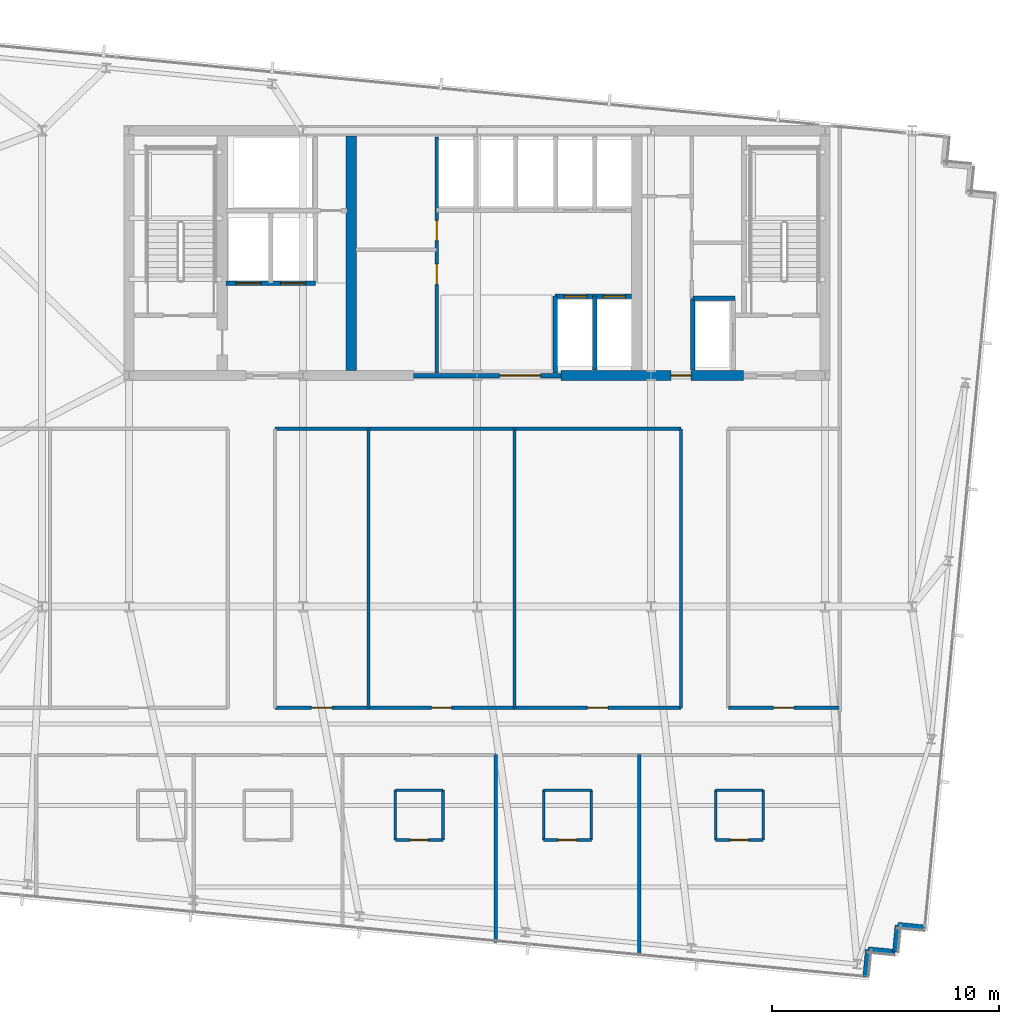
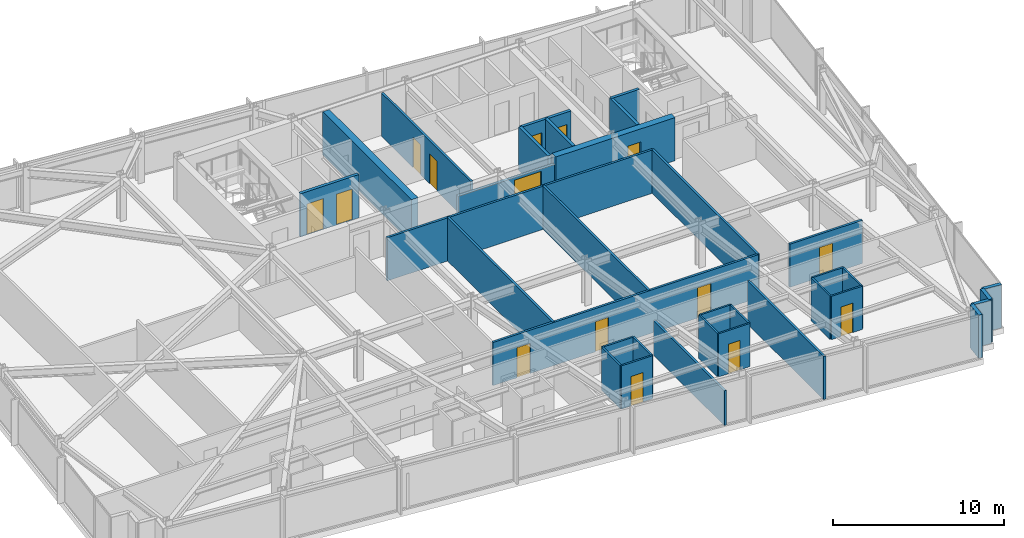
# One storey, part 30 of 37: 34 walls, 15 doors, 15 openings.
"""IFC4 building model written with IfcOpenShell, lengths in metres."""

from ifc_helpers import new_model, si_unit, direction, frame, frame_2d, origin, place, context, subcontext, project, spatial, rectangle, extrude, material, layer, layer_set, type_object, element, fill, save


model = new_model("IFC4")

# Units and contexts
model_context = context("Model", 3, precision=1e-05, world=origin(), true_north=direction((0.0, 1.0)))
body_context = subcontext(model_context, "Body", "Model", "MODEL_VIEW")
ifc_project = project(units=[si_unit("LENGTHUNIT", "METRE"), si_unit("AREAUNIT", "SQUARE_METRE"), si_unit("VOLUMEUNIT", "CUBIC_METRE"), si_unit("PLANEANGLEUNIT", "RADIAN"), si_unit("MASSUNIT", "GRAM", prefix="KILO")], contexts=[model_context])

# Site, building, storey
site_placement = place(None, origin())
site = spatial("IfcSite", under=ifc_project, at=site_placement, CompositionType="ELEMENT")
building_placement = place(site_placement, origin())
building = spatial("IfcBuilding", under=site, at=building_placement, Name="Yelkora Congress Tower", CompositionType="ELEMENT")
storey_placement = place(building_placement, frame((0.0, 0.0, 149.0)))
storey = spatial("IfcBuildingStorey", under=building, at=storey_placement, Name="L40", CompositionType="ELEMENT", Elevation=149.0)

# Wall, opening, door
ifc_material_1 = material(Name="Concrete C60/75", Category="concrete")
ifc_layer_1 = layer(ifc_material_1, 0.449951171875)
ifc_layer_set_1 = layer_set([ifc_layer_1], Name="Concrete C60/75")
wall_type_1 = type_object("IfcWallType", Name="WALL-CORE-INT-450", PredefinedType="SHEAR", material=ifc_layer_set_1)
wall_1_placement = place(storey_placement, frame((42.10009765625, 35.39990234375, 0.0), z_axis=(0.0, 0.0, 1.0), x_axis=(1.0, 0.0, 0.0)))
wall_1 = element("IfcWall", 1, at=wall_1_placement, inside=storey, type_object=wall_type_1, Name="L40 Rear Core South-East Shear Wall A", PredefinedType="SHEAR", context=body_context, shape_type="SweptSolid", body=[
    extrude(rectangle(XDim=8.0498046875, YDim=0.449951171875, at=frame_2d((4.02490234375, 0.0))), origin(), (0.0, 0.0, 1.0), 3.080078125),
])
opening_1_placement = place(wall_1_placement, frame((4.85009765625, 0.0, 0.0)))
opening_1 = element("IfcOpeningElement", 2, at=opening_1_placement, cuts=wall_1, Name="Opening DR-090F6", PredefinedType="OPENING", context=body_context, shape_type="SweptSolid", body=[
    extrude(rectangle(XDim=0.89990234375, YDim=2.14990234375, at=frame_2d((0.449951171875, 1.074951171875))), frame((0.0, 0.23486328125, 0.0), z_axis=(0.0, -1.0, 0.0), x_axis=(1.0, 0.0, 0.0)), (0.0, 0.0, 1.0), 0.469970703125),
])
ifc_material_2 = material(Name="Painted steel riser fire door leaf", Category="steel")
door_type_1 = type_object("IfcDoorType", Name="DOOR-FD60-900", OperationType="NOTDEFINED", PredefinedType="DOOR", material=ifc_material_2)
door_1_placement = place(opening_1_placement, origin())
door_1 = element("IfcDoor", 3, at=door_1_placement, inside=storey, type_object=door_type_1, Name="L40 Core Washroom Lobby Door", OperationType="SINGLE_SWING_RIGHT", OverallHeight=2.14990234375, OverallWidth=0.89990234375, PredefinedType="DOOR", context=body_context, shape_type="SweptSolid", body=[
    extrude(rectangle(XDim=0.89990234375, YDim=2.14990234375, at=frame_2d((0.449951171875, 1.074951171875))), frame((0.0, 0.02490234375, 0.0), z_axis=(0.0, -1.0, 0.0), x_axis=(1.0, 0.0, 0.0)), (0.0, 0.0, 1.0), 0.050048828125),
])
fill(opening_1, door_1)

# Walls
wall_2_placement = place(storey_placement, frame((32.85009765625, 35.625, 0.0), z_axis=(0.0, 0.0, 1.0), x_axis=(0.0, 1.0, 0.0)))
element("IfcWall", 4, at=wall_2_placement, inside=storey, type_object=wall_type_1, Name="L40 Rear Core Cross Shear Wall C2", PredefinedType="SHEAR", context=body_context, shape_type="SweptSolid", body=[
    extrude(rectangle(XDim=10.35009765625, YDim=0.449951171875, at=frame_2d((5.175048828125, 0.0))), origin(), (0.0, 0.0, 1.0), 3.080078125),
])
ifc_material_3 = material(Name="Concrete C40/50", Category="concrete")
ifc_layer_2 = layer(ifc_material_3, 0.239990234375)
ifc_layer_set_2 = layer_set([ifc_layer_2], Name="Concrete C40/50")
wall_type_2 = type_object("IfcWallType", Name="WALL-EXT-LIMESTONE-240", PredefinedType="SOLIDWALL", material=ifc_layer_set_2)
wall_3_placement = place(storey_placement, frame((58.160400390625, 11.033203125, 0.0), z_axis=(0.0, 0.0, 1.0), x_axis=(-0.995398960025, 0.095817067274, 0.0)))
element("IfcWall", 5, at=wall_3_placement, inside=storey, type_object=wall_type_2, Name="L40 Serrated Corner Limestone Pier 16", PredefinedType="SOLIDWALL", context=body_context, shape_type="SweptSolid", body=[
    extrude(rectangle(XDim=1.2001953125, YDim=0.239990234375, at=frame_2d((0.60009765625, 0.0))), origin(), (0.0, 0.0, 1.0), 3.080078125),
])
for number, where, z_axis, x_axis, name in (
    (6, (56.9658203125, 11.148193359375, 0.0), (0.0, 0.0, 1.0), (-0.095836473879, -0.995397091755, 0.0), "L40 Serrated Corner Limestone Pier 17"),
    (7, (56.850830078125, 9.953857421875, 0.0), (0.0, 0.0, 1.0), (-0.995397091755, 0.095836473879, 0.0), "L40 Serrated Corner Limestone Pier 18"),
):
    element("IfcWall", number, at=place(storey_placement, frame(where, z_axis=z_axis, x_axis=x_axis)), inside=storey, type_object=wall_type_2, Name=name, PredefinedType="SOLIDWALL", context=body_context, shape_type="SweptSolid", body=[
        extrude(rectangle(XDim=1.199951171875, YDim=0.239990234375, at=frame_2d((0.60009765625, 0.0))), origin(), (0.0, 0.0, 1.0), 3.080078125),
    ])
wall_4_placement = place(storey_placement, frame((55.656494140625, 10.06884765625, 0.0), z_axis=(0.0, 0.0, 1.0), x_axis=(-0.095817067274, -0.995398960025, 0.0)))
element("IfcWall", 8, at=wall_4_placement, inside=storey, type_object=wall_type_2, Name="L40 Serrated Corner Limestone Pier 19", PredefinedType="SOLIDWALL", context=body_context, shape_type="SweptSolid", body=[
    extrude(rectangle(XDim=1.2001953125, YDim=0.239990234375, at=frame_2d((0.60009765625, 0.0))), origin(), (0.0, 0.0, 1.0), 3.080078125),
])
ifc_material_4 = material(Name="Moisture-resistant gypsum partition", Category="gypsum")
ifc_layer_3 = layer(ifc_material_4, 0.1201171875)
ifc_layer_set_3 = layer_set([ifc_layer_3], Name="Moisture-resistant gypsum partition")
wall_type_3 = type_object("IfcWallType", Name="WALL-INT-120-NR", PredefinedType="PARTITIONING", material=ifc_layer_set_3)
wall_5_placement = place(storey_placement, frame((34.7919921875, 17.10009765625, 0.0), z_axis=(0.0, 0.0, 1.0), x_axis=(1.0, 0.0, 0.0)))
element("IfcWall", 9, at=wall_5_placement, inside=storey, type_object=wall_type_3, Name="L40 Partition Wall 41", PredefinedType="PARTITIONING", context=body_context, shape_type="SweptSolid", body=[
    extrude(rectangle(XDim=2.10009765625, YDim=0.1201171875, at=frame_2d((1.050048828125, 0.0))), origin(), (0.0, 0.0, 1.0), 3.080078125),
])
for number, where, z_axis, x_axis, name in (
    (10, (34.7919921875, 14.89990234375, 0.0), (0.0, 0.0, 1.0), (0.0, 1.0, 0.0), "L40 Partition Wall 42"),
    (11, (36.89208984375, 14.89990234375, 0.0), (0.0, 0.0, 1.0), (0.0, 1.0, 0.0), "L40 Partition Wall 43"),
):
    element("IfcWall", number, at=place(storey_placement, frame(where, z_axis=z_axis, x_axis=x_axis)), inside=storey, type_object=wall_type_3, Name=name, PredefinedType="PARTITIONING", context=body_context, shape_type="SweptSolid", body=[
        extrude(rectangle(XDim=2.2001953125, YDim=0.1201171875, at=frame_2d((1.10009765625, 0.0))), origin(), (0.0, 0.0, 1.0), 3.080078125),
    ])

# Wall, opening, door
wall_6_placement = place(storey_placement, frame((34.7919921875, 14.89990234375, 0.0), z_axis=(0.0, 0.0, 1.0), x_axis=(1.0, 0.0, 0.0)))
wall_6 = element("IfcWall", 12, at=wall_6_placement, inside=storey, type_object=wall_type_3, Name="L40 Partition Wall 44", PredefinedType="PARTITIONING", context=body_context, shape_type="SweptSolid", body=[
    extrude(rectangle(XDim=2.10009765625, YDim=0.1201171875, at=frame_2d((1.050048828125, 0.0))), origin(), (0.0, 0.0, 1.0), 3.080078125),
])
opening_2_placement = place(wall_6_placement, frame((0.64990234375, 0.0, 0.0)))
opening_2 = element("IfcOpeningElement", 13, at=opening_2_placement, cuts=wall_6, Name="Opening DR-080B", PredefinedType="OPENING", context=body_context, shape_type="SweptSolid", body=[
    extrude(rectangle(XDim=0.800048828125, YDim=2.10009765625, at=frame_2d((0.39990234375, 1.050048828125))), frame((0.0, 0.070068359375, 0.0), z_axis=(0.0, -1.0, 0.0), x_axis=(1.0, 0.0, 0.0)), (0.0, 0.0, 1.0), 0.14013671875),
])
ifc_material_5 = material(Name="Moisture-sealed en-suite timber door", Category="wood")
door_type_2 = type_object("IfcDoorType", Name="DOOR-BATH-800", OperationType="NOTDEFINED", PredefinedType="DOOR", material=ifc_material_5)
door_2_placement = place(opening_2_placement, origin())
door_2 = element("IfcDoor", 14, at=door_2_placement, inside=storey, type_object=door_type_2, Name="L40 En-suite Door 4", OperationType="SINGLE_SWING_RIGHT", OverallHeight=2.10009765625, OverallWidth=0.800048828125, PredefinedType="DOOR", context=body_context, shape_type="SweptSolid", body=[
    extrude(rectangle(XDim=0.800048828125, YDim=2.10009765625, at=frame_2d((0.39990234375, 1.050048828125))), frame((0.0, 0.02490234375, 0.0), z_axis=(0.0, -1.0, 0.0), x_axis=(1.0, 0.0, 0.0)), (0.0, 0.0, 1.0), 0.050048828125),
])
fill(opening_2, door_2)

# Walls
wall_7_placement = place(storey_placement, frame((41.341064453125, 17.10009765625, 0.0), z_axis=(0.0, 0.0, 1.0), x_axis=(1.0, 0.0, 0.0)))
element("IfcWall", 15, at=wall_7_placement, inside=storey, type_object=wall_type_3, Name="L40 Partition Wall 46", PredefinedType="PARTITIONING", context=body_context, shape_type="SweptSolid", body=[
    extrude(rectangle(XDim=2.099853515625, YDim=0.1201171875, at=frame_2d((1.0498046875, 0.0))), origin(), (0.0, 0.0, 1.0), 3.080078125),
])
for number, where, z_axis, x_axis, name in (
    (16, (41.341064453125, 14.89990234375, 0.0), (0.0, 0.0, 1.0), (0.0, 1.0, 0.0), "L40 Partition Wall 47"),
    (17, (43.44091796875, 14.89990234375, 0.0), (0.0, 0.0, 1.0), (0.0, 1.0, 0.0), "L40 Partition Wall 48"),
):
    element("IfcWall", number, at=place(storey_placement, frame(where, z_axis=z_axis, x_axis=x_axis)), inside=storey, type_object=wall_type_3, Name=name, PredefinedType="PARTITIONING", context=body_context, shape_type="SweptSolid", body=[
        extrude(rectangle(XDim=2.2001953125, YDim=0.1201171875, at=frame_2d((1.10009765625, 0.0))), origin(), (0.0, 0.0, 1.0), 3.080078125),
    ])

# Wall, opening, door
wall_8_placement = place(storey_placement, frame((41.341064453125, 14.89990234375, 0.0), z_axis=(0.0, 0.0, 1.0), x_axis=(1.0, 0.0, 0.0)))
wall_8 = element("IfcWall", 18, at=wall_8_placement, inside=storey, type_object=wall_type_3, Name="L40 Partition Wall 49", PredefinedType="PARTITIONING", context=body_context, shape_type="SweptSolid", body=[
    extrude(rectangle(XDim=2.099853515625, YDim=0.1201171875, at=frame_2d((1.0498046875, 0.0))), origin(), (0.0, 0.0, 1.0), 3.080078125),
])
opening_3_placement = place(wall_8_placement, frame((0.64990234375, 0.0, 0.0)))
opening_3 = element("IfcOpeningElement", 19, at=opening_3_placement, cuts=wall_8, Name="Opening DR-080B", PredefinedType="OPENING", context=body_context, shape_type="SweptSolid", body=[
    extrude(rectangle(XDim=0.800048828125, YDim=2.10009765625, at=frame_2d((0.39990234375, 1.050048828125))), frame((0.0, 0.070068359375, 0.0), z_axis=(0.0, -1.0, 0.0), x_axis=(1.0, 0.0, 0.0)), (0.0, 0.0, 1.0), 0.14013671875),
])
door_3_placement = place(opening_3_placement, origin())
door_3 = element("IfcDoor", 20, at=door_3_placement, inside=storey, type_object=door_type_2, Name="L40 En-suite Door 5", OperationType="SINGLE_SWING_LEFT", OverallHeight=2.10009765625, OverallWidth=0.800048828125, PredefinedType="DOOR", context=body_context, shape_type="SweptSolid", body=[
    extrude(rectangle(XDim=0.800048828125, YDim=2.10009765625, at=frame_2d((0.39990234375, 1.050048828125))), frame((0.0, 0.02490234375, 0.0), z_axis=(0.0, -1.0, 0.0), x_axis=(1.0, 0.0, 0.0)), (0.0, 0.0, 1.0), 0.050048828125),
])
fill(opening_3, door_3)

# Walls
wall_9_placement = place(storey_placement, frame((48.929931640625, 17.10009765625, 0.0), z_axis=(0.0, 0.0, 1.0), x_axis=(1.0, 0.0, 0.0)))
element("IfcWall", 21, at=wall_9_placement, inside=storey, type_object=wall_type_3, Name="L40 Partition Wall 51", PredefinedType="PARTITIONING", context=body_context, shape_type="SweptSolid", body=[
    extrude(rectangle(XDim=2.10009765625, YDim=0.1201171875, at=frame_2d((1.050048828125, 0.0))), origin(), (0.0, 0.0, 1.0), 3.080078125),
])
for number, where, z_axis, x_axis, name in (
    (22, (48.929931640625, 14.89990234375, 0.0), (0.0, 0.0, 1.0), (0.0, 1.0, 0.0), "L40 Partition Wall 52"),
    (23, (51.030029296875, 14.89990234375, 0.0), (0.0, 0.0, 1.0), (0.0, 1.0, 0.0), "L40 Partition Wall 53"),
):
    element("IfcWall", number, at=place(storey_placement, frame(where, z_axis=z_axis, x_axis=x_axis)), inside=storey, type_object=wall_type_3, Name=name, PredefinedType="PARTITIONING", context=body_context, shape_type="SweptSolid", body=[
        extrude(rectangle(XDim=2.2001953125, YDim=0.1201171875, at=frame_2d((1.10009765625, 0.0))), origin(), (0.0, 0.0, 1.0), 3.080078125),
    ])

# Wall, opening, door
wall_10_placement = place(storey_placement, frame((48.929931640625, 14.89990234375, 0.0), z_axis=(0.0, 0.0, 1.0), x_axis=(1.0, 0.0, 0.0)))
wall_10 = element("IfcWall", 24, at=wall_10_placement, inside=storey, type_object=wall_type_3, Name="L40 Partition Wall 54", PredefinedType="PARTITIONING", context=body_context, shape_type="SweptSolid", body=[
    extrude(rectangle(XDim=2.10009765625, YDim=0.1201171875, at=frame_2d((1.050048828125, 0.0))), origin(), (0.0, 0.0, 1.0), 3.080078125),
])
opening_4_placement = place(wall_10_placement, frame((0.64990234375, 0.0, 0.0)))
opening_4 = element("IfcOpeningElement", 25, at=opening_4_placement, cuts=wall_10, Name="Opening DR-080B", PredefinedType="OPENING", context=body_context, shape_type="SweptSolid", body=[
    extrude(rectangle(XDim=0.800048828125, YDim=2.10009765625, at=frame_2d((0.39990234375, 1.050048828125))), frame((0.0, 0.070068359375, 0.0), z_axis=(0.0, -1.0, 0.0), x_axis=(1.0, 0.0, 0.0)), (0.0, 0.0, 1.0), 0.14013671875),
])
door_4_placement = place(opening_4_placement, origin())
door_4 = element("IfcDoor", 26, at=door_4_placement, inside=storey, type_object=door_type_2, Name="L40 En-suite Door 6", OperationType="SINGLE_SWING_RIGHT", OverallHeight=2.10009765625, OverallWidth=0.800048828125, PredefinedType="DOOR", context=body_context, shape_type="SweptSolid", body=[
    extrude(rectangle(XDim=0.800048828125, YDim=2.10009765625, at=frame_2d((0.39990234375, 1.050048828125))), frame((0.0, 0.02490234375, 0.0), z_axis=(0.0, -1.0, 0.0), x_axis=(1.0, 0.0, 0.0)), (0.0, 0.0, 1.0), 0.050048828125),
])
fill(opening_4, door_4)

# Walls
ifc_material_6 = material(Name="Acoustic metal-stud gypsum partition", Category="gypsum")
ifc_layer_4 = layer(ifc_material_6, 0.14990234375)
ifc_layer_set_4 = layer_set([ifc_layer_4], Name="Acoustic metal-stud gypsum partition")
wall_type_4 = type_object("IfcWallType", Name="WALL-INT-150-NR", PredefinedType="PARTITIONING", material=ifc_layer_set_4)
wall_11_placement = place(storey_placement, frame((47.39990234375, 20.72998046875, 0.0), z_axis=(0.0, 0.0, 1.0), x_axis=(0.0, 1.0, 0.0)))
element("IfcWall", 27, at=wall_11_placement, inside=storey, type_object=wall_type_4, Name="L40 Partition Wall 61", PredefinedType="PARTITIONING", context=body_context, shape_type="SweptSolid", body=[
    extrude(rectangle(XDim=12.320068359375, YDim=0.14990234375, at=frame_2d((6.16015625, 0.0))), origin(), (0.0, 0.0, 1.0), 3.080078125),
])
wall_12_placement = place(storey_placement, frame((29.47998046875, 33.050048828125, 0.0), z_axis=(0.0, 0.0, 1.0), x_axis=(1.0, 0.0, 0.0)))
element("IfcWall", 28, at=wall_12_placement, inside=storey, type_object=wall_type_4, Name="L40 Partition Wall 64", PredefinedType="PARTITIONING", context=body_context, shape_type="SweptSolid", body=[
    extrude(rectangle(XDim=17.919921875, YDim=0.14990234375, at=frame_2d((8.9599609375, 0.0))), origin(), (0.0, 0.0, 1.0), 3.080078125),
])
for number, where, z_axis, x_axis, name in (
    (29, (33.60693359375, 20.72998046875, 0.0), (0.0, 0.0, 1.0), (0.0, 1.0, 0.0), "L40 Partition Wall 69"),
    (30, (40.051025390625, 20.72998046875, 0.0), (0.0, 0.0, 1.0), (0.0, 1.0, 0.0), "L40 Partition Wall 70"),
):
    element("IfcWall", number, at=place(storey_placement, frame(where, z_axis=z_axis, x_axis=x_axis)), inside=storey, type_object=wall_type_4, Name=name, PredefinedType="PARTITIONING", context=body_context, shape_type="SweptSolid", body=[
        extrude(rectangle(XDim=12.320068359375, YDim=0.14990234375, at=frame_2d((6.16015625, 0.0))), origin(), (0.0, 0.0, 1.0), 3.080078125),
    ])

# Wall, openings, doors
wall_13_placement = place(storey_placement, frame((29.489990234375, 20.72998046875, 0.0), z_axis=(0.0, 0.0, 1.0), x_axis=(1.0, 0.0, 0.0)))
wall_13 = element("IfcWall", 31, at=wall_13_placement, inside=storey, type_object=wall_type_4, Name="L40 Partition Wall 71", PredefinedType="PARTITIONING", context=body_context, shape_type="SweptSolid", body=[
    extrude(rectangle(XDim=17.89990234375, YDim=0.14990234375, at=frame_2d((8.949951171875, 0.0))), origin(), (0.0, 0.0, 1.0), 3.080078125),
])
opening_5_placement = place(wall_13_placement, frame((1.6083984375, 0.0, 0.0)))
opening_5 = element("IfcOpeningElement", 32, at=opening_5_placement, cuts=wall_13, Name="Opening DR-090N", PredefinedType="OPENING", context=body_context, shape_type="SweptSolid", body=[
    extrude(rectangle(XDim=0.89990234375, YDim=2.14990234375, at=frame_2d((0.449951171875, 1.074951171875))), frame((0.0, 0.0849609375, 0.0), z_axis=(0.0, -1.0, 0.0), x_axis=(1.0, 0.0, 0.0)), (0.0, 0.0, 1.0), 0.169921875),
])
opening_6_placement = place(wall_13_placement, frame((6.888916015625, 0.0, 0.0)))
opening_6 = element("IfcOpeningElement", 33, at=opening_6_placement, cuts=wall_13, Name="Opening DR-090N", PredefinedType="OPENING", context=body_context, shape_type="SweptSolid", body=[
    extrude(rectangle(XDim=0.89990234375, YDim=2.14990234375, at=frame_2d((0.449951171875, 1.074951171875))), frame((0.0, 0.0849609375, 0.0), z_axis=(0.0, -1.0, 0.0), x_axis=(1.0, 0.0, 0.0)), (0.0, 0.0, 1.0), 0.169921875),
])
opening_7_placement = place(wall_13_placement, frame((13.780517578125, 0.0, 0.0)))
opening_7 = element("IfcOpeningElement", 34, at=opening_7_placement, cuts=wall_13, Name="Opening DR-090N", PredefinedType="OPENING", context=body_context, shape_type="SweptSolid", body=[
    extrude(rectangle(XDim=0.89990234375, YDim=2.14990234375, at=frame_2d((0.449951171875, 1.074951171875))), frame((0.0, 0.0849609375, 0.0), z_axis=(0.0, -1.0, 0.0), x_axis=(1.0, 0.0, 0.0)), (0.0, 0.0, 1.0), 0.169921875),
])
ifc_material_7 = material(Name="Moisture-resistant laminate door leaf", Category="wood")
door_type_3 = type_object("IfcDoorType", Name="DOOR-INT-900", OperationType="NOTDEFINED", PredefinedType="DOOR", material=ifc_material_7)
door_5_placement = place(opening_5_placement, origin())
door_5 = element("IfcDoor", 35, at=door_5_placement, inside=storey, type_object=door_type_3, Name="L40 Business Concierge Office Door", OperationType="SINGLE_SWING_RIGHT", OverallHeight=2.14990234375, OverallWidth=0.89990234375, PredefinedType="DOOR", context=body_context, shape_type="SweptSolid", body=[
    extrude(rectangle(XDim=0.89990234375, YDim=2.14990234375, at=frame_2d((0.449951171875, 1.074951171875))), frame((0.0, 0.02490234375, 0.0), z_axis=(0.0, -1.0, 0.0), x_axis=(1.0, 0.0, 0.0)), (0.0, 0.0, 1.0), 0.050048828125),
])
fill(opening_5, door_5)
door_6_placement = place(opening_6_placement, origin())
door_6 = element("IfcDoor", 36, at=door_6_placement, inside=storey, type_object=door_type_3, Name="L40 Refreshment Galley Door", OperationType="SINGLE_SWING_LEFT", OverallHeight=2.14990234375, OverallWidth=0.89990234375, PredefinedType="DOOR", context=body_context, shape_type="SweptSolid", body=[
    extrude(rectangle(XDim=0.89990234375, YDim=2.14990234375, at=frame_2d((0.449951171875, 1.074951171875))), frame((0.0, 0.02490234375, 0.0), z_axis=(0.0, -1.0, 0.0), x_axis=(1.0, 0.0, 0.0)), (0.0, 0.0, 1.0), 0.050048828125),
])
fill(opening_6, door_6)
door_7_placement = place(opening_7_placement, origin())
door_7 = element("IfcDoor", 37, at=door_7_placement, inside=storey, type_object=door_type_3, Name="L40 Catering Servery Kitchen Door", OperationType="SINGLE_SWING_RIGHT", OverallHeight=2.14990234375, OverallWidth=0.89990234375, PredefinedType="DOOR", context=body_context, shape_type="SweptSolid", body=[
    extrude(rectangle(XDim=0.89990234375, YDim=2.14990234375, at=frame_2d((0.449951171875, 1.074951171875))), frame((0.0, 0.02490234375, 0.0), z_axis=(0.0, -1.0, 0.0), x_axis=(1.0, 0.0, 0.0)), (0.0, 0.0, 1.0), 0.050048828125),
])
fill(opening_7, door_7)

# Wall, opening, door
wall_14_placement = place(storey_placement, frame((49.489990234375, 20.72998046875, 0.0), z_axis=(0.0, 0.0, 1.0), x_axis=(1.0, 0.0, 0.0)))
wall_14 = element("IfcWall", 38, at=wall_14_placement, inside=storey, type_object=wall_type_4, Name="L40 Partition Wall 72", PredefinedType="PARTITIONING", context=body_context, shape_type="SweptSolid", body=[
    extrude(rectangle(XDim=4.889892578125, YDim=0.14990234375, at=frame_2d((2.44482421875, 0.0))), origin(), (0.0, 0.0, 1.0), 3.080078125),
])
opening_8_placement = place(wall_14_placement, frame((1.9951171875, 0.0, 0.0)))
opening_8 = element("IfcOpeningElement", 39, at=opening_8_placement, cuts=wall_14, Name="Opening DR-090N", PredefinedType="OPENING", context=body_context, shape_type="SweptSolid", body=[
    extrude(rectangle(XDim=0.89990234375, YDim=2.14990234375, at=frame_2d((0.449951171875, 1.074951171875))), frame((0.0, 0.0849609375, 0.0), z_axis=(0.0, -1.0, 0.0), x_axis=(1.0, 0.0, 0.0)), (0.0, 0.0, 1.0), 0.169921875),
])
door_8_placement = place(opening_8_placement, origin())
door_8 = element("IfcDoor", 40, at=door_8_placement, inside=storey, type_object=door_type_3, Name="L40 Refreshment Galley Door", OperationType="SINGLE_SWING_LEFT", OverallHeight=2.14990234375, OverallWidth=0.89990234375, PredefinedType="DOOR", context=body_context, shape_type="SweptSolid", body=[
    extrude(rectangle(XDim=0.89990234375, YDim=2.14990234375, at=frame_2d((0.449951171875, 1.074951171875))), frame((0.0, 0.02490234375, 0.0), z_axis=(0.0, -1.0, 0.0), x_axis=(1.0, 0.0, 0.0)), (0.0, 0.0, 1.0), 0.050048828125),
])
fill(opening_8, door_8)

# Wall, openings, doors
ifc_material_8 = material(Name="Twin-stud fire-rated gypsum partition", Category="gypsum")
ifc_layer_5 = layer(ifc_material_8, 0.14990234375)
ifc_layer_set_5 = layer_set([ifc_layer_5], Name="Twin-stud fire-rated gypsum partition")
wall_type_5 = type_object("IfcWallType", Name="WALL-INT-150-R60", PredefinedType="PARTITIONING", material=ifc_layer_set_5)
wall_15_placement = place(storey_placement, frame((36.6201171875, 35.5, 0.0), z_axis=(0.0, 0.0, 1.0), x_axis=(0.0, 1.0, 0.0)))
wall_15 = element("IfcWall", 41, at=wall_15_placement, inside=storey, type_object=wall_type_5, Name="L40 Partition Wall 12", PredefinedType="PARTITIONING", context=body_context, shape_type="SweptSolid", body=[
    extrude(rectangle(XDim=10.419921875, YDim=0.14990234375, at=frame_2d((5.2099609375, 0.0))), origin(), (0.0, 0.0, 1.0), 3.080078125),
])
opening_9_placement = place(wall_15_placement, frame((3.919921875, 0.0, 0.0)))
opening_9 = element("IfcOpeningElement", 42, at=opening_9_placement, cuts=wall_15, Name="Opening DR-090F6", PredefinedType="OPENING", context=body_context, shape_type="SweptSolid", body=[
    extrude(rectangle(XDim=0.89990234375, YDim=2.14990234375, at=frame_2d((0.449951171875, 1.074951171875))), frame((0.0, 0.0849609375, 0.0), z_axis=(0.0, -1.0, 0.0), x_axis=(1.0, 0.0, 0.0)), (0.0, 0.0, 1.0), 0.169921875),
])
opening_10_placement = place(wall_15_placement, frame((5.85009765625, 0.0, 0.0)))
opening_10 = element("IfcOpeningElement", 43, at=opening_10_placement, cuts=wall_15, Name="Opening DR-090F6", PredefinedType="OPENING", context=body_context, shape_type="SweptSolid", body=[
    extrude(rectangle(XDim=0.89990234375, YDim=2.14990234375, at=frame_2d((0.449951171875, 1.074951171875))), frame((0.0, 0.0849609375, 0.0), z_axis=(0.0, -1.0, 0.0), x_axis=(1.0, 0.0, 0.0)), (0.0, 0.0, 1.0), 0.169921875),
])
door_9_placement = place(opening_9_placement, origin())
door_9 = element("IfcDoor", 44, at=door_9_placement, inside=storey, type_object=door_type_1, Name="L40 Telecom Store Door", OperationType="SINGLE_SWING_LEFT", OverallHeight=2.14990234375, OverallWidth=0.89990234375, PredefinedType="DOOR", context=body_context, shape_type="SweptSolid", body=[
    extrude(rectangle(XDim=0.89990234375, YDim=2.14990234375, at=frame_2d((0.449951171875, 1.074951171875))), frame((0.0, 0.02490234375, 0.0), z_axis=(0.0, -1.0, 0.0), x_axis=(1.0, 0.0, 0.0)), (0.0, 0.0, 1.0), 0.050048828125),
])
fill(opening_9, door_9)
door_10_placement = place(opening_10_placement, origin())
door_10 = element("IfcDoor", 45, at=door_10_placement, inside=storey, type_object=door_type_1, Name="L40 Archive Store Door", OperationType="SINGLE_SWING_RIGHT", OverallHeight=2.14990234375, OverallWidth=0.89990234375, PredefinedType="DOOR", context=body_context, shape_type="SweptSolid", body=[
    extrude(rectangle(XDim=0.89990234375, YDim=2.14990234375, at=frame_2d((0.449951171875, 1.074951171875))), frame((0.0, 0.02490234375, 0.0), z_axis=(0.0, -1.0, 0.0), x_axis=(1.0, 0.0, 0.0)), (0.0, 0.0, 1.0), 0.050048828125),
])
fill(opening_10, door_10)

# Walls
wall_16_placement = place(storey_placement, frame((39.221923828125, 10.385498046875, 0.0), z_axis=(0.0, 0.0, 1.0), x_axis=(0.0, 1.0, 0.0)))
element("IfcWall", 46, at=wall_16_placement, inside=storey, type_object=wall_type_5, Name="L40 Partition Wall 50", PredefinedType="PARTITIONING", context=body_context, shape_type="SweptSolid", body=[
    extrude(rectangle(XDim=8.284423828125, YDim=0.14990234375, at=frame_2d((4.14208984375, 0.0))), origin(), (0.0, 0.0, 1.0), 2.47509765625),
])
wall_17_placement = place(storey_placement, frame((45.56005859375, 9.775146484375, 0.0), z_axis=(0.0, 0.0, 1.0), x_axis=(0.0, 1.0, 0.0)))
element("IfcWall", 47, at=wall_17_placement, inside=storey, type_object=wall_type_5, Name="L40 Partition Wall 55", PredefinedType="PARTITIONING", context=body_context, shape_type="SweptSolid", body=[
    extrude(rectangle(XDim=8.894775390625, YDim=0.14990234375, at=frame_2d((4.447265625, 0.0))), origin(), (0.0, 0.0, 1.0), 3.080078125),
])

# Wall, openings, doors
ifc_material_9 = material(Name="Autoclaved aerated concrete blockwork", Category="masonry")
ifc_layer_6 = layer(ifc_material_9, 0.199951171875)
ifc_layer_set_6 = layer_set([ifc_layer_6], Name="Autoclaved aerated concrete blockwork")
wall_type_6 = type_object("IfcWallType", Name="WALL-INT-200-R120", PredefinedType="PARTITIONING", material=ifc_layer_set_6)
wall_18_placement = place(storey_placement, frame((27.320068359375, 39.47998046875, 0.0), z_axis=(0.0, 0.0, 1.0), x_axis=(1.0, 0.0, 0.0)))
wall_18 = element("IfcWall", 48, at=wall_18_placement, inside=storey, type_object=wall_type_6, Name="L40 Firefighting Lift Front Wall", PredefinedType="PARTITIONING", context=body_context, shape_type="SweptSolid", body=[
    extrude(rectangle(XDim=3.93994140625, YDim=0.199951171875, at=frame_2d((1.969970703125, 0.0))), origin(), (0.0, 0.0, 1.0), 3.080078125),
])
opening_11_placement = place(wall_18_placement, frame((0.449951171875, 0.0, 0.0)))
opening_11 = element("IfcOpeningElement", 49, at=opening_11_placement, cuts=wall_18, Name="Opening LD-FF11", PredefinedType="OPENING", context=body_context, shape_type="SweptSolid", body=[
    extrude(rectangle(XDim=1.10009765625, YDim=2.199951171875, at=frame_2d((0.550048828125, 1.10009765625))), frame((0.0, 0.10986328125, 0.0), z_axis=(0.0, -1.0, 0.0), x_axis=(1.0, 0.0, 0.0)), (0.0, 0.0, 1.0), 0.219970703125),
])
opening_12_placement = place(wall_18_placement, frame((2.409912109375, 0.0, 0.0)))
opening_12 = element("IfcOpeningElement", 50, at=opening_12_placement, cuts=wall_18, Name="Opening LD-FF11", PredefinedType="OPENING", context=body_context, shape_type="SweptSolid", body=[
    extrude(rectangle(XDim=1.10009765625, YDim=2.199951171875, at=frame_2d((0.550048828125, 1.10009765625))), frame((0.0, 0.10986328125, 0.0), z_axis=(0.0, -1.0, 0.0), x_axis=(1.0, 0.0, 0.0)), (0.0, 0.0, 1.0), 0.219970703125),
])
ifc_material_10 = material(Name="Brushed stainless steel 316L landing door", Category="steel")
door_type_4 = type_object("IfcDoorType", Name="DOOR-LIFT-FF-1100", OperationType="DOUBLE_DOOR_SLIDING", PredefinedType="DOOR", material=ifc_material_10)
door_11_placement = place(opening_11_placement, origin())
door_11 = element("IfcDoor", 51, at=door_11_placement, inside=storey, type_object=door_type_4, Name="Lift Landing Door LF-FF1 L40", OperationType="DOUBLE_DOOR_SLIDING", OverallHeight=2.199951171875, OverallWidth=1.10009765625, PredefinedType="DOOR", context=body_context, shape_type="SweptSolid", body=[
    extrude(rectangle(XDim=1.10009765625, YDim=2.199951171875, at=frame_2d((0.550048828125, 1.10009765625))), frame((0.0, 0.02490234375, 0.0), z_axis=(0.0, -1.0, 0.0), x_axis=(1.0, 0.0, 0.0)), (0.0, 0.0, 1.0), 0.050048828125),
])
fill(opening_11, door_11)
door_12_placement = place(opening_12_placement, origin())
door_12 = element("IfcDoor", 52, at=door_12_placement, inside=storey, type_object=door_type_4, Name="Lift Landing Door LF-FF2 L40", OperationType="DOUBLE_DOOR_SLIDING", OverallHeight=2.199951171875, OverallWidth=1.10009765625, PredefinedType="DOOR", context=body_context, shape_type="SweptSolid", body=[
    extrude(rectangle(XDim=1.10009765625, YDim=2.199951171875, at=frame_2d((0.550048828125, 1.10009765625))), frame((0.0, 0.02490234375, 0.0), z_axis=(0.0, -1.0, 0.0), x_axis=(1.0, 0.0, 0.0)), (0.0, 0.0, 1.0), 0.050048828125),
])
fill(opening_12, door_12)

# Wall, opening, door
wall_19_placement = place(storey_placement, frame((35.60009765625, 35.39990234375, 0.0), z_axis=(0.0, 0.0, 1.0), x_axis=(1.0, 0.0, 0.0)))
wall_19 = element("IfcWall", 53, at=wall_19_placement, inside=storey, type_object=wall_type_6, Name="L40 Main Lift Lobby South Portal Wall", PredefinedType="PARTITIONING", context=body_context, shape_type="SweptSolid", body=[
    extrude(rectangle(XDim=6.5, YDim=0.199951171875, at=frame_2d((3.25, 0.0))), origin(), (0.0, 0.0, 1.0), 2.47509765625),
])
opening_13_placement = place(wall_19_placement, frame((3.800048828125, 0.0, 0.0)))
opening_13 = element("IfcOpeningElement", 54, at=opening_13_placement, cuts=wall_19, Name="Opening DR-180D", PredefinedType="OPENING", context=body_context, shape_type="SweptSolid", body=[
    extrude(rectangle(XDim=1.800048828125, YDim=2.300048828125, at=frame_2d((0.89990234375, 1.14990234375))), frame((0.0, 0.10986328125, 0.0), z_axis=(0.0, -1.0, 0.0), x_axis=(1.0, 0.0, 0.0)), (0.0, 0.0, 1.0), 0.219970703125),
])
ifc_material_11 = material(Name="Acoustic double congress hall doors", Category="wood")
door_type_5 = type_object("IfcDoorType", Name="DOOR-DBL-1800", OperationType="DOUBLE_DOOR_SINGLE_SWING", PredefinedType="DOOR", material=ifc_material_11)
door_13_placement = place(opening_13_placement, origin())
door_13 = element("IfcDoor", 55, at=door_13_placement, inside=storey, type_object=door_type_5, Name="L40 Main Lift Lobby Portal Door", OperationType="DOUBLE_DOOR_SINGLE_SWING", OverallHeight=2.300048828125, OverallWidth=1.800048828125, PredefinedType="DOOR", context=body_context, shape_type="SweptSolid", body=[
    extrude(rectangle(XDim=1.800048828125, YDim=2.300048828125, at=frame_2d((0.89990234375, 1.14990234375))), frame((0.0, 0.02490234375, 0.0), z_axis=(0.0, -1.0, 0.0), x_axis=(1.0, 0.0, 0.0)), (0.0, 0.0, 1.0), 0.050048828125),
])
fill(opening_13, door_13)

# Wall, openings, doors
wall_20_placement = place(storey_placement, frame((41.85009765625, 38.89990234375, 0.0), z_axis=(0.0, 0.0, 1.0), x_axis=(1.0, 0.0, 0.0)))
wall_20 = element("IfcWall", 56, at=wall_20_placement, inside=storey, type_object=wall_type_6, Name="L40 Partition Wall 13", PredefinedType="PARTITIONING", context=body_context, shape_type="SweptSolid", body=[
    extrude(rectangle(XDim=3.369873046875, YDim=0.199951171875, at=frame_2d((1.68505859375, 0.0))), origin(), (0.0, 0.0, 1.0), 3.080078125),
])
opening_14_placement = place(wall_20_placement, frame((0.39990234375, 0.0, 0.0)))
opening_14 = element("IfcOpeningElement", 57, at=opening_14_placement, cuts=wall_20, Name="Opening LD-PS10", PredefinedType="OPENING", context=body_context, shape_type="SweptSolid", body=[
    extrude(rectangle(XDim=1.0, YDim=2.199951171875, at=frame_2d((0.5, 1.10009765625))), frame((0.0, 0.10986328125, 0.0), z_axis=(0.0, -1.0, 0.0), x_axis=(1.0, 0.0, 0.0)), (0.0, 0.0, 1.0), 0.219970703125),
])
opening_15_placement = place(wall_20_placement, frame((2.10009765625, 0.0, 0.0)))
opening_15 = element("IfcOpeningElement", 58, at=opening_15_placement, cuts=wall_20, Name="Opening LD-PS10", PredefinedType="OPENING", context=body_context, shape_type="SweptSolid", body=[
    extrude(rectangle(XDim=1.0, YDim=2.199951171875, at=frame_2d((0.5, 1.10009765625))), frame((0.0, 0.10986328125, 0.0), z_axis=(0.0, -1.0, 0.0), x_axis=(1.0, 0.0, 0.0)), (0.0, 0.0, 1.0), 0.219970703125),
])
ifc_material_12 = material(Name="Champagne stainless steel landing door", Category="steel")
door_type_6 = type_object("IfcDoorType", Name="DOOR-LIFT-PAS-1000", OperationType="DOUBLE_DOOR_SLIDING", PredefinedType="DOOR", material=ifc_material_12)
door_14_placement = place(opening_14_placement, origin())
door_14 = element("IfcDoor", 59, at=door_14_placement, inside=storey, type_object=door_type_6, Name="Lift Landing Door LF-P5 L40", OperationType="DOUBLE_DOOR_SLIDING", OverallHeight=2.199951171875, OverallWidth=1.0, PredefinedType="DOOR", context=body_context, shape_type="SweptSolid", body=[
    extrude(rectangle(XDim=1.0, YDim=2.199951171875, at=frame_2d((0.5, 1.10009765625))), frame((0.0, 0.02490234375, 0.0), z_axis=(0.0, -1.0, 0.0), x_axis=(1.0, 0.0, 0.0)), (0.0, 0.0, 1.0), 0.050048828125),
])
fill(opening_14, door_14)
door_15_placement = place(opening_15_placement, origin())
door_15 = element("IfcDoor", 60, at=door_15_placement, inside=storey, type_object=door_type_6, Name="Lift Landing Door LF-P6 L40", OperationType="DOUBLE_DOOR_SLIDING", OverallHeight=2.199951171875, OverallWidth=1.0, PredefinedType="DOOR", context=body_context, shape_type="SweptSolid", body=[
    extrude(rectangle(XDim=1.0, YDim=2.199951171875, at=frame_2d((0.5, 1.10009765625))), frame((0.0, 0.02490234375, 0.0), z_axis=(0.0, -1.0, 0.0), x_axis=(1.0, 0.0, 0.0)), (0.0, 0.0, 1.0), 0.050048828125),
])
fill(opening_15, door_15)

# Walls
wall_21_placement = place(storey_placement, frame((43.60009765625, 35.64990234375, 0.0), z_axis=(0.0, 0.0, 1.0), x_axis=(0.0, 1.0, 0.0)))
element("IfcWall", 61, at=wall_21_placement, inside=storey, type_object=wall_type_6, Name="L40 Partition Wall 15", PredefinedType="PARTITIONING", context=body_context, shape_type="SweptSolid", body=[
    extrude(rectangle(XDim=3.25, YDim=0.199951171875, at=frame_2d((1.625, 0.0))), origin(), (0.0, 0.0, 1.0), 3.080078125),
])
wall_22_placement = place(storey_placement, frame((41.85009765625, 35.5, 0.0), z_axis=(0.0, 0.0, 1.0), x_axis=(0.0, 1.0, 0.0)))
element("IfcWall", 62, at=wall_22_placement, inside=storey, type_object=wall_type_6, Name="L40 Partition Wall 17", PredefinedType="PARTITIONING", context=body_context, shape_type="SweptSolid", body=[
    extrude(rectangle(XDim=3.39990234375, YDim=0.199951171875, at=frame_2d((1.699951171875, 0.0))), origin(), (0.0, 0.0, 1.0), 3.080078125),
])
wall_23_placement = place(storey_placement, frame((47.919921875, 35.64990234375, 0.0), z_axis=(0.0, 0.0, 1.0), x_axis=(0.0, 1.0, 0.0)))
element("IfcWall", 63, at=wall_23_placement, inside=storey, type_object=wall_type_6, Name="L40 Partition Wall 22", PredefinedType="PARTITIONING", context=body_context, shape_type="SweptSolid", body=[
    extrude(rectangle(XDim=3.150146484375, YDim=0.199951171875, at=frame_2d((1.5751953125, 0.0))), origin(), (0.0, 0.0, 1.0), 3.080078125),
])
wall_24_placement = place(storey_placement, frame((47.919921875, 38.800048828125, 0.0), z_axis=(0.0, 0.0, 1.0), x_axis=(1.0, 0.0, 0.0)))
element("IfcWall", 64, at=wall_24_placement, inside=storey, type_object=wall_type_6, Name="L40 Partition Wall 23", PredefinedType="PARTITIONING", context=body_context, shape_type="SweptSolid", body=[
    extrude(rectangle(XDim=1.860107421875, YDim=0.199951171875, at=frame_2d((0.93017578125, 0.0))), origin(), (0.0, 0.0, 1.0), 3.080078125),
])

save(model, "model.ifc")
